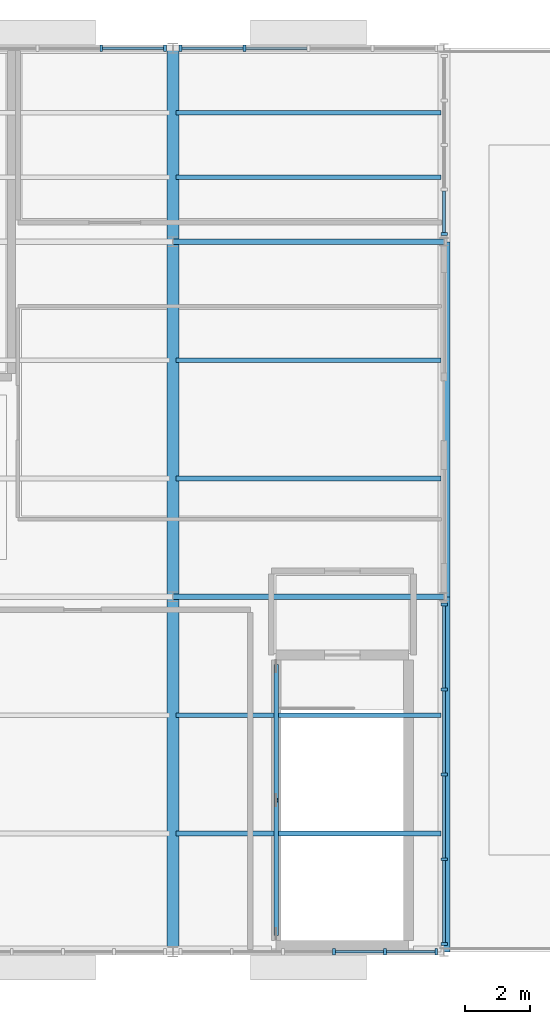
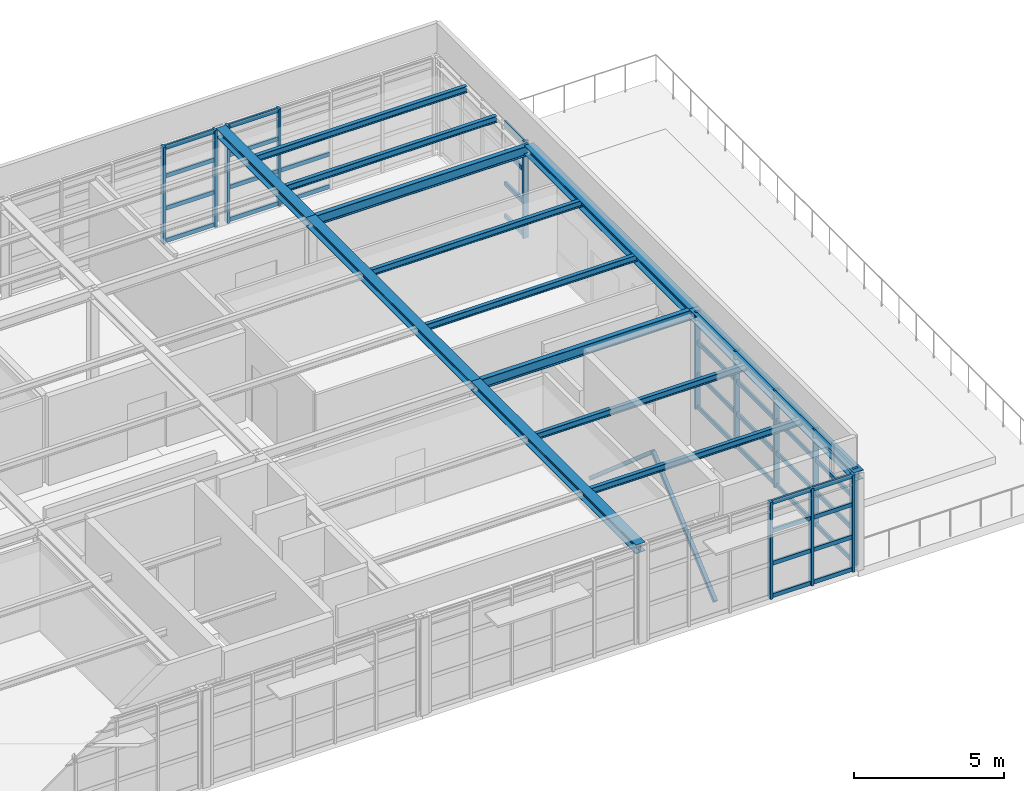
# One storey, part 9 of 18: 53 members, 13 beams, 5 elements without a shape of their own.
"""IFC4 building model written with IfcOpenShell, lengths in metres."""

from ifc_helpers import new_model, si_unit, direction, frame, origin, origin_2d, place, context, subcontext, project, spatial, rectangle, hollow_rectangle, i_section, extrude, material, layer, layer_set, material_profile, profile_set, type_object, element, aggregate, save


model = new_model("IFC4")

# Units and contexts
model_context = context("Model", 3, precision=1e-05, world=origin(), true_north=direction((0.0, 1.0)))
body_context = subcontext(model_context, "Body", "Model", "MODEL_VIEW")
ifc_project = project(units=[si_unit("LENGTHUNIT", "METRE"), si_unit("AREAUNIT", "SQUARE_METRE"), si_unit("VOLUMEUNIT", "CUBIC_METRE"), si_unit("PLANEANGLEUNIT", "RADIAN"), si_unit("MASSUNIT", "GRAM", prefix="KILO")], contexts=[model_context])

# Site, building, storey
site_placement = place(None, origin())
site = spatial("IfcSite", under=ifc_project, at=site_placement, CompositionType="ELEMENT")
building_placement = place(site_placement, origin())
building = spatial("IfcBuilding", under=site, at=building_placement, Name="Sitalva Quay Ferry Terminal", CompositionType="ELEMENT")
storey_placement = place(building_placement, frame((0.0, 0.0, 18.60009765625)))
storey = spatial("IfcBuildingStorey", under=building, at=storey_placement, Name="L05", CompositionType="ELEMENT", Elevation=18.60009765625)

# Beams
ifc_material_1 = material(Name="Structural Steel S355JR", Category="steel")
ifc_material_profile_1 = material_profile(ifc_material_1, i_section(OverallWidth=0.368896484375, OverallDepth=0.35595703125, WebThickness=0.01123046875, FlangeThickness=0.01806640625, FilletRadius=0.014892578125, at=origin_2d()), Name="W360x134")
ifc_profile_set_1 = profile_set([ifc_material_profile_1], Name="Structural Steel S355JR")
beam_type_1 = type_object("IfcBeamType", Name="Beam_W360x134", PredefinedType="BEAM", material=ifc_profile_set_1)
for number, where, z_axis, x_axis, name in (
    (1, (109.199951171875, 78.0, 3.781982421875), (0.0, 1.0, 0.0), (-1.0, 0.0, 0.0), "L05 Primary Y girder 1432"),
    (2, (109.199951171875, 89.0, 3.781982421875), (0.0, 1.0, 0.0), (-1.0, 0.0, 0.0), "L05 Primary Y girder 1433"),
):
    element("IfcBeam", number, at=place(storey_placement, frame(where, z_axis=z_axis, x_axis=x_axis)), inside=storey, type_object=beam_type_1, Name=name, PredefinedType="BEAM", context=body_context, shape_type="SweptSolid", body=[
        extrude(i_section(OverallWidth=0.368896484375, OverallDepth=0.35595703125, WebThickness=0.01123046875, FlangeThickness=0.01806640625, FilletRadius=0.014892578125, at=origin_2d()), origin(), (0.0, 0.0, 1.0), 11.0),
    ])
beam_placement = place(storey_placement, frame((109.199951171875, 100.0, 3.781982421875), z_axis=(0.0, 1.0, 0.0), x_axis=(-1.0, 0.0, 0.0)))
element("IfcBeam", 3, at=beam_placement, inside=storey, type_object=beam_type_1, Name="L05 Primary Y girder 1434", PredefinedType="BEAM", context=body_context, shape_type="SweptSolid", body=[
    extrude(i_section(OverallWidth=0.368896484375, OverallDepth=0.35595703125, WebThickness=0.01123046875, FlangeThickness=0.01806640625, FilletRadius=0.014892578125, at=origin_2d()), origin(), (0.0, 0.0, 1.0), 6.0),
])
for number, where, z_axis, x_axis, name in (
    (4, (117.60009765625, 78.0, 3.781982421875), (0.0, 1.0, 0.0), (-1.0, 0.0, 0.0), "L05 Primary Y girder 1435"),
    (5, (117.60009765625, 89.0, 3.781982421875), (0.0, 1.0, 0.0), (-1.0, 0.0, 0.0), "L05 Primary Y girder 1436"),
):
    element("IfcBeam", number, at=place(storey_placement, frame(where, z_axis=z_axis, x_axis=x_axis)), inside=storey, type_object=beam_type_1, Name=name, PredefinedType="BEAM", context=body_context, shape_type="SweptSolid", body=[
        extrude(i_section(OverallWidth=0.368896484375, OverallDepth=0.35595703125, WebThickness=0.01123046875, FlangeThickness=0.01806640625, FilletRadius=0.014892578125, at=origin_2d()), origin(), (0.0, 0.0, 1.0), 11.0),
    ])
ifc_material_2 = material(Name="Structural Steel S355JR", Category="steel")
ifc_material_profile_2 = material_profile(ifc_material_2, i_section(OverallWidth=0.178955078125, OverallDepth=0.409912109375, WebThickness=0.0087890625, FlangeThickness=0.014404296875, FilletRadius=0.012939453125, at=origin_2d()), Name="W410x67")
ifc_profile_set_2 = profile_set([ifc_material_profile_2], Name="Structural Steel S355JR")
beam_type_2 = type_object("IfcBeamType", Name="Beam_W410x67", PredefinedType="BEAM", material=ifc_profile_set_2)
for number, where, z_axis, x_axis, name in (
    (6, (109.199951171875, 89.0, 3.7548828125), (1.0, 0.0, 0.0), (0.0, 1.0, 0.0), "L05 Primary X girder 1409"),
    (7, (109.199951171875, 100.0, 3.7548828125), (1.0, 0.0, 0.0), (0.0, 1.0, 0.0), "L05 Primary X girder 1414"),
):
    element("IfcBeam", number, at=place(storey_placement, frame(where, z_axis=z_axis, x_axis=x_axis)), inside=storey, type_object=beam_type_2, Name=name, PredefinedType="BEAM", context=body_context, shape_type="SweptSolid", body=[
        extrude(i_section(OverallWidth=0.178955078125, OverallDepth=0.409912109375, WebThickness=0.0087890625, FlangeThickness=0.014404296875, FilletRadius=0.012939453125, at=origin_2d()), origin(), (0.0, 0.0, 1.0), 8.400146484375),
    ])

# Members
ifc_material_3 = material(Name="Structural Steel S355JR", Category="steel")
ifc_material_profile_3 = material_profile(ifc_material_3, hollow_rectangle(XDim=0.14990234375, YDim=0.14990234375, WallThickness=0.008056640625, InnerFilletRadius=0.008056640625, OuterFilletRadius=0.01611328125, at=origin_2d()), Name="SHS150x150x8")
ifc_profile_set_3 = profile_set([ifc_material_profile_3], Name="Structural Steel S355JR")
member_type_1 = type_object("IfcMemberType", Name="Brace_SHS150x8", PredefinedType="BRACE", material=ifc_profile_set_3)
member_1_placement = place(storey_placement, frame((112.39990234375, 78.550048828125, 0.14990234375), z_axis=(0.0, 0.756274516231, 0.654254427649), x_axis=(-1.0, 0.0, 0.0)))
element("IfcMember", 8, at=member_1_placement, inside=storey, type_object=member_type_1, Name="Braced frame BF5 L05 chevron A", PredefinedType="BRACE", context=body_context, shape_type="SweptSolid", body=[
    extrude(hollow_rectangle(XDim=0.14990234375, YDim=0.14990234375, WallThickness=0.008056640625, InnerFilletRadius=0.008056640625, OuterFilletRadius=0.01611328125, at=origin_2d()), origin(), (0.0, 0.0, 1.0), 5.4873046875),
])
member_2_placement = place(storey_placement, frame((112.39990234375, 82.699951171875, 3.739990234375), z_axis=(0.0, 0.756293560007, -0.654232413666), x_axis=(-1.0, 0.0, 0.0)))
element("IfcMember", 9, at=member_2_placement, inside=storey, type_object=member_type_1, Name="Braced frame BF5 L05 chevron B", PredefinedType="BRACE", context=body_context, shape_type="SweptSolid", body=[
    extrude(hollow_rectangle(XDim=0.14990234375, YDim=0.14990234375, WallThickness=0.008056640625, InnerFilletRadius=0.008056640625, OuterFilletRadius=0.01611328125, at=origin_2d()), origin(), (0.0, 0.0, 1.0), 5.487548828125),
])

# Beams
ifc_material_4 = material(Name="Structural Steel S355JR", Category="steel")
ifc_material_profile_4 = material_profile(ifc_material_4, i_section(OverallWidth=0.14697265625, OverallDepth=0.261962890625, WebThickness=0.006591796875, FlangeThickness=0.01123046875, FilletRadius=0.010009765625, at=origin_2d()), Name="W250x39")
ifc_profile_set_4 = profile_set([ifc_material_profile_4], Name="Structural Steel S355JR")
beam_type_3 = type_object("IfcBeamType", Name="Joist_W250x39", PredefinedType="JOIST", material=ifc_profile_set_4)
for number, where, z_axis, x_axis, name in (
    (10, (109.300048828125, 81.666748046875, 3.828857421875), (1.0, 0.0, 0.0), (0.0, 1.0, 0.0), "L05 Secondary joist 1442"),
    (11, (109.300048828125, 85.333251953125, 3.828857421875), (1.0, 0.0, 0.0), (0.0, 1.0, 0.0), "L05 Secondary joist 1447"),
    (12, (109.300048828125, 92.666748046875, 3.828857421875), (1.0, 0.0, 0.0), (0.0, 1.0, 0.0), "L05 Secondary joist 1452"),
    (13, (109.300048828125, 96.333251953125, 3.828857421875), (1.0, 0.0, 0.0), (0.0, 1.0, 0.0), "L05 Secondary joist 1457"),
    (14, (109.300048828125, 102.0, 3.828857421875), (1.0, 0.0, 0.0), (0.0, 1.0, 0.0), "L05 Secondary joist 1462"),
    (15, (109.300048828125, 104.0, 3.828857421875), (1.0, 0.0, 0.0), (0.0, 1.0, 0.0), "L05 Secondary joist 1467"),
):
    element("IfcBeam", number, at=place(storey_placement, frame(where, z_axis=z_axis, x_axis=x_axis)), inside=storey, type_object=beam_type_3, Name=name, PredefinedType="JOIST", context=body_context, shape_type="SweptSolid", body=[
        extrude(i_section(OverallWidth=0.14697265625, OverallDepth=0.261962890625, WebThickness=0.006591796875, FlangeThickness=0.01123046875, FilletRadius=0.010009765625, at=origin_2d()), origin(), (0.0, 0.0, 1.0), 8.199951171875),
    ])

# Curtain wall, members
ifc_material_5 = material(Name="Anodised Aluminium & Low-E Glazing", Category="aluminium")
ifc_layer = layer(ifc_material_5, 0.159912109375)
ifc_layer_set = layer_set([ifc_layer], Name="Anodised Aluminium & Low-E Glazing")
curtain_wall_type = type_object("IfcCurtainWallType", Name="CW_VTS_Sloped", PredefinedType="USERDEFINED", material=ifc_layer_set)
curtain_wall_1_placement = place(storey_placement, origin())
curtain_wall_1 = element("IfcCurtainWall", 16, at=curtain_wall_1_placement, inside=storey, type_object=curtain_wall_type, Name="L05 VTS east panoramic glazing (CW-L05-150)", ObjectType="CURTAIN_WALL", PredefinedType="USERDEFINED")
ifc_material_6 = material(Name="Anodised Aluminium 6063-T6", Category="aluminium")
ifc_material_profile_5 = material_profile(ifc_material_6, rectangle(XDim=0.090087890625, YDim=0.199951171875, at=origin_2d()), Name="ALU90x200")
ifc_profile_set_5 = profile_set([ifc_material_profile_5], Name="Anodised Aluminium 6063-T6")
member_type_2 = type_object("IfcMemberType", Name="Mullion_Alu_90x200", PredefinedType="MULLION", material=ifc_profile_set_5)
member_3_placement = place(storey_placement, frame((117.60009765625, 78.239990234375, 0.0), z_axis=(0.0, 0.0, 1.0), x_axis=(0.0, 1.0, 0.0)))
member_3 = element("IfcMember", 17, at=member_3_placement, type_object=member_type_2, Name="CW-L05-150-M0", PredefinedType="MULLION", context=body_context, shape_type="SweptSolid", body=[
    extrude(rectangle(XDim=0.090087890625, YDim=0.199951171875, at=origin_2d()), origin(), (0.0, 0.0, 1.0), 3.9599609375),
])
member_4_placement = place(storey_placement, frame((117.60009765625, 80.8701171875, 0.0), z_axis=(0.0, 0.0, 1.0), x_axis=(0.0, 1.0, 0.0)))
member_4 = element("IfcMember", 18, at=member_4_placement, type_object=member_type_2, Name="CW-L05-150-M1", PredefinedType="MULLION", context=body_context, shape_type="SweptSolid", body=[
    extrude(rectangle(XDim=0.090087890625, YDim=0.199951171875, at=origin_2d()), origin(), (0.0, 0.0, 1.0), 3.9599609375),
])
member_5_placement = place(storey_placement, frame((117.60009765625, 83.5, 0.0), z_axis=(0.0, 0.0, 1.0), x_axis=(0.0, 1.0, 0.0)))
member_5 = element("IfcMember", 19, at=member_5_placement, type_object=member_type_2, Name="CW-L05-150-M2", PredefinedType="MULLION", context=body_context, shape_type="SweptSolid", body=[
    extrude(rectangle(XDim=0.090087890625, YDim=0.199951171875, at=origin_2d()), origin(), (0.0, 0.0, 1.0), 3.9599609375),
])
member_6_placement = place(storey_placement, frame((117.60009765625, 86.1298828125, 0.0), z_axis=(0.0, 0.0, 1.0), x_axis=(0.0, 1.0, 0.0)))
member_6 = element("IfcMember", 20, at=member_6_placement, type_object=member_type_2, Name="CW-L05-150-M3", PredefinedType="MULLION", context=body_context, shape_type="SweptSolid", body=[
    extrude(rectangle(XDim=0.090087890625, YDim=0.199951171875, at=origin_2d()), origin(), (0.0, 0.0, 1.0), 3.9599609375),
])
member_7_placement = place(storey_placement, frame((117.60009765625, 88.760009765625, 0.0), z_axis=(0.0, 0.0, 1.0), x_axis=(0.0, 1.0, 0.0)))
member_7 = element("IfcMember", 21, at=member_7_placement, type_object=member_type_2, Name="CW-L05-150-M4", PredefinedType="MULLION", context=body_context, shape_type="SweptSolid", body=[
    extrude(rectangle(XDim=0.090087890625, YDim=0.199951171875, at=origin_2d()), origin(), (0.0, 0.0, 1.0), 3.9599609375),
])

# Curtain wall, member
curtain_wall_2_placement = place(storey_placement, origin())
curtain_wall_2 = element("IfcCurtainWall", 22, at=curtain_wall_2_placement, inside=storey, type_object=curtain_wall_type, Name="L05 VTS east panoramic glazing (CW-L05-153)", ObjectType="CURTAIN_WALL", PredefinedType="USERDEFINED")
member_8_placement = place(storey_placement, frame((117.60009765625, 100.239990234375, 0.0), z_axis=(0.0, 0.0, 1.0), x_axis=(0.0, 1.0, 0.0)))
member_8 = element("IfcMember", 23, at=member_8_placement, type_object=member_type_2, Name="CW-L05-153-M0", PredefinedType="MULLION", context=body_context, shape_type="SweptSolid", body=[
    extrude(rectangle(XDim=0.090087890625, YDim=0.199951171875, at=origin_2d()), origin(), (0.0, 0.0, 1.0), 3.9599609375),
])

# Curtain wall, members
curtain_wall_3_placement = place(storey_placement, origin())
curtain_wall_3 = element("IfcCurtainWall", 24, at=curtain_wall_3_placement, inside=storey, type_object=curtain_wall_type, Name="L05 VTS bridge north glazing (CW-L05-161)", ObjectType="CURTAIN_WALL", PredefinedType="USERDEFINED")
member_9_placement = place(storey_placement, frame((106.97998046875, 106.0, 0.0), z_axis=(0.0, 0.0, 1.0), x_axis=(1.0, 0.0, 0.0)))
member_9 = element("IfcMember", 25, at=member_9_placement, type_object=member_type_2, Name="CW-L05-161-M3", PredefinedType="MULLION", context=body_context, shape_type="SweptSolid", body=[
    extrude(rectangle(XDim=0.090087890625, YDim=0.199951171875, at=origin_2d()), origin(), (0.0, 0.0, 1.0), 3.9599609375),
])
member_10_placement = place(storey_placement, frame((108.9599609375, 106.0, 0.0), z_axis=(0.0, 0.0, 1.0), x_axis=(1.0, 0.0, 0.0)))
member_10 = element("IfcMember", 26, at=member_10_placement, type_object=member_type_2, Name="CW-L05-161-M4", PredefinedType="MULLION", context=body_context, shape_type="SweptSolid", body=[
    extrude(rectangle(XDim=0.090087890625, YDim=0.199951171875, at=origin_2d()), origin(), (0.0, 0.0, 1.0), 3.9599609375),
])

curtain_wall_4_placement = place(storey_placement, origin())
curtain_wall_4 = element("IfcCurtainWall", 27, at=curtain_wall_4_placement, inside=storey, type_object=curtain_wall_type, Name="L05 VTS river-view panoramic south glazing (CW-L05-162)", ObjectType="CURTAIN_WALL", PredefinedType="USERDEFINED")
member_11_placement = place(storey_placement, frame((114.19189453125, 78.0, 0.0), z_axis=(0.0, 0.0, 1.0), x_axis=(1.0, 0.0, 0.0)))
member_11 = element("IfcMember", 28, at=member_11_placement, type_object=member_type_2, Name="CW-L05-162-M3", PredefinedType="MULLION", context=body_context, shape_type="SweptSolid", body=[
    extrude(rectangle(XDim=0.090087890625, YDim=0.199951171875, at=origin_2d()), origin(), (0.0, 0.0, 1.0), 3.9599609375),
])
member_12_placement = place(storey_placement, frame((115.77587890625, 78.0, 0.0), z_axis=(0.0, 0.0, 1.0), x_axis=(1.0, 0.0, 0.0)))
member_12 = element("IfcMember", 29, at=member_12_placement, type_object=member_type_2, Name="CW-L05-162-M4", PredefinedType="MULLION", context=body_context, shape_type="SweptSolid", body=[
    extrude(rectangle(XDim=0.090087890625, YDim=0.199951171875, at=origin_2d()), origin(), (0.0, 0.0, 1.0), 3.9599609375),
])
member_13_placement = place(storey_placement, frame((117.360107421875, 78.0, 0.0), z_axis=(0.0, 0.0, 1.0), x_axis=(1.0, 0.0, 0.0)))
member_13 = element("IfcMember", 30, at=member_13_placement, type_object=member_type_2, Name="CW-L05-162-M5", PredefinedType="MULLION", context=body_context, shape_type="SweptSolid", body=[
    extrude(rectangle(XDim=0.090087890625, YDim=0.199951171875, at=origin_2d()), origin(), (0.0, 0.0, 1.0), 3.9599609375),
])

curtain_wall_5_placement = place(storey_placement, origin())
curtain_wall_5 = element("IfcCurtainWall", 31, at=curtain_wall_5_placement, inside=storey, type_object=curtain_wall_type, Name="L05 VTS bridge north glazing (CW-L05-163)", ObjectType="CURTAIN_WALL", PredefinedType="USERDEFINED")
member_14_placement = place(storey_placement, frame((109.43994140625, 106.0, 0.0), z_axis=(0.0, 0.0, 1.0), x_axis=(1.0, 0.0, 0.0)))
member_14 = element("IfcMember", 32, at=member_14_placement, type_object=member_type_2, Name="CW-L05-163-M0", PredefinedType="MULLION", context=body_context, shape_type="SweptSolid", body=[
    extrude(rectangle(XDim=0.090087890625, YDim=0.199951171875, at=origin_2d()), origin(), (0.0, 0.0, 1.0), 3.9599609375),
])
member_15_placement = place(storey_placement, frame((111.419921875, 106.0, 0.0), z_axis=(0.0, 0.0, 1.0), x_axis=(1.0, 0.0, 0.0)))
member_15 = element("IfcMember", 33, at=member_15_placement, type_object=member_type_2, Name="CW-L05-163-M1", PredefinedType="MULLION", context=body_context, shape_type="SweptSolid", body=[
    extrude(rectangle(XDim=0.090087890625, YDim=0.199951171875, at=origin_2d()), origin(), (0.0, 0.0, 1.0), 3.9599609375),
])

# Member
ifc_material_7 = material(Name="Anodised Aluminium 6063-T6", Category="aluminium")
ifc_material_profile_6 = material_profile(ifc_material_7, rectangle(XDim=0.080078125, YDim=0.1650390625, at=origin_2d()), Name="ALU80x165")
ifc_profile_set_6 = profile_set([ifc_material_profile_6], Name="Anodised Aluminium 6063-T6")
member_type_3 = type_object("IfcMemberType", Name="Transom_Alu_80x165", PredefinedType="MULLION", material=ifc_profile_set_6)
member_16_placement = place(storey_placement, frame((117.60009765625, 78.284912109375, 0.08251953125), z_axis=(0.0, 1.0, 0.0), x_axis=(-1.0, 0.0, 0.0)))
member_16 = element("IfcMember", 34, at=member_16_placement, type_object=member_type_3, Name="CW-L05-150-T0-0", ObjectType="TRANSOM", PredefinedType="USERDEFINED", context=body_context, shape_type="SweptSolid", body=[
    extrude(rectangle(XDim=0.080078125, YDim=0.1650390625, at=origin_2d()), origin(), (0.0, 0.0, 1.0), 2.5400390625),
])

member_17_placement = place(storey_placement, frame((117.60009765625, 78.284912109375, 1.40234375), z_axis=(0.0, 1.0, 0.0), x_axis=(-1.0, 0.0, 0.0)))
member_17 = element("IfcMember", 35, at=member_17_placement, type_object=member_type_3, Name="CW-L05-150-T0-1", ObjectType="TRANSOM", PredefinedType="USERDEFINED", context=body_context, shape_type="SweptSolid", body=[
    extrude(rectangle(XDim=0.080078125, YDim=0.1650390625, at=origin_2d()), origin(), (0.0, 0.0, 1.0), 2.5400390625),
])

member_18_placement = place(storey_placement, frame((117.60009765625, 78.284912109375, 2.722412109375), z_axis=(0.0, 1.0, 0.0), x_axis=(-1.0, 0.0, 0.0)))
member_18 = element("IfcMember", 36, at=member_18_placement, type_object=member_type_3, Name="CW-L05-150-T0-2", ObjectType="TRANSOM", PredefinedType="USERDEFINED", context=body_context, shape_type="SweptSolid", body=[
    extrude(rectangle(XDim=0.080078125, YDim=0.1650390625, at=origin_2d()), origin(), (0.0, 0.0, 1.0), 2.5400390625),
])

member_19_placement = place(storey_placement, frame((117.60009765625, 78.284912109375, 3.87744140625), z_axis=(0.0, 1.0, 0.0), x_axis=(-1.0, 0.0, 0.0)))
member_19 = element("IfcMember", 37, at=member_19_placement, type_object=member_type_3, Name="CW-L05-150-T0-3", ObjectType="TRANSOM", PredefinedType="USERDEFINED", context=body_context, shape_type="SweptSolid", body=[
    extrude(rectangle(XDim=0.080078125, YDim=0.1650390625, at=origin_2d()), origin(), (0.0, 0.0, 1.0), 2.5400390625),
])

member_20_placement = place(storey_placement, frame((117.60009765625, 80.9150390625, 0.08251953125), z_axis=(0.0, 1.0, 0.0), x_axis=(-1.0, 0.0, 0.0)))
member_20 = element("IfcMember", 38, at=member_20_placement, type_object=member_type_3, Name="CW-L05-150-T1-0", ObjectType="TRANSOM", PredefinedType="USERDEFINED", context=body_context, shape_type="SweptSolid", body=[
    extrude(rectangle(XDim=0.080078125, YDim=0.1650390625, at=origin_2d()), origin(), (0.0, 0.0, 1.0), 2.5400390625),
])

member_21_placement = place(storey_placement, frame((117.60009765625, 80.9150390625, 1.40234375), z_axis=(0.0, 1.0, 0.0), x_axis=(-1.0, 0.0, 0.0)))
member_21 = element("IfcMember", 39, at=member_21_placement, type_object=member_type_3, Name="CW-L05-150-T1-1", ObjectType="TRANSOM", PredefinedType="USERDEFINED", context=body_context, shape_type="SweptSolid", body=[
    extrude(rectangle(XDim=0.080078125, YDim=0.1650390625, at=origin_2d()), origin(), (0.0, 0.0, 1.0), 2.5400390625),
])

member_22_placement = place(storey_placement, frame((117.60009765625, 80.9150390625, 2.722412109375), z_axis=(0.0, 1.0, 0.0), x_axis=(-1.0, 0.0, 0.0)))
member_22 = element("IfcMember", 40, at=member_22_placement, type_object=member_type_3, Name="CW-L05-150-T1-2", ObjectType="TRANSOM", PredefinedType="USERDEFINED", context=body_context, shape_type="SweptSolid", body=[
    extrude(rectangle(XDim=0.080078125, YDim=0.1650390625, at=origin_2d()), origin(), (0.0, 0.0, 1.0), 2.5400390625),
])

member_23_placement = place(storey_placement, frame((117.60009765625, 80.9150390625, 3.87744140625), z_axis=(0.0, 1.0, 0.0), x_axis=(-1.0, 0.0, 0.0)))
member_23 = element("IfcMember", 41, at=member_23_placement, type_object=member_type_3, Name="CW-L05-150-T1-3", ObjectType="TRANSOM", PredefinedType="USERDEFINED", context=body_context, shape_type="SweptSolid", body=[
    extrude(rectangle(XDim=0.080078125, YDim=0.1650390625, at=origin_2d()), origin(), (0.0, 0.0, 1.0), 2.5400390625),
])

member_24_placement = place(storey_placement, frame((117.60009765625, 83.544921875, 0.08251953125), z_axis=(0.0, 1.0, 0.0), x_axis=(-1.0, 0.0, 0.0)))
member_24 = element("IfcMember", 42, at=member_24_placement, type_object=member_type_3, Name="CW-L05-150-T2-0", ObjectType="TRANSOM", PredefinedType="USERDEFINED", context=body_context, shape_type="SweptSolid", body=[
    extrude(rectangle(XDim=0.080078125, YDim=0.1650390625, at=origin_2d()), origin(), (0.0, 0.0, 1.0), 2.5400390625),
])

member_25_placement = place(storey_placement, frame((117.60009765625, 83.544921875, 1.40234375), z_axis=(0.0, 1.0, 0.0), x_axis=(-1.0, 0.0, 0.0)))
member_25 = element("IfcMember", 43, at=member_25_placement, type_object=member_type_3, Name="CW-L05-150-T2-1", ObjectType="TRANSOM", PredefinedType="USERDEFINED", context=body_context, shape_type="SweptSolid", body=[
    extrude(rectangle(XDim=0.080078125, YDim=0.1650390625, at=origin_2d()), origin(), (0.0, 0.0, 1.0), 2.5400390625),
])

member_26_placement = place(storey_placement, frame((117.60009765625, 83.544921875, 2.722412109375), z_axis=(0.0, 1.0, 0.0), x_axis=(-1.0, 0.0, 0.0)))
member_26 = element("IfcMember", 44, at=member_26_placement, type_object=member_type_3, Name="CW-L05-150-T2-2", ObjectType="TRANSOM", PredefinedType="USERDEFINED", context=body_context, shape_type="SweptSolid", body=[
    extrude(rectangle(XDim=0.080078125, YDim=0.1650390625, at=origin_2d()), origin(), (0.0, 0.0, 1.0), 2.5400390625),
])

member_27_placement = place(storey_placement, frame((117.60009765625, 83.544921875, 3.87744140625), z_axis=(0.0, 1.0, 0.0), x_axis=(-1.0, 0.0, 0.0)))
member_27 = element("IfcMember", 45, at=member_27_placement, type_object=member_type_3, Name="CW-L05-150-T2-3", ObjectType="TRANSOM", PredefinedType="USERDEFINED", context=body_context, shape_type="SweptSolid", body=[
    extrude(rectangle(XDim=0.080078125, YDim=0.1650390625, at=origin_2d()), origin(), (0.0, 0.0, 1.0), 2.5400390625),
])

member_28_placement = place(storey_placement, frame((117.60009765625, 86.175048828125, 0.08251953125), z_axis=(0.0, 1.0, 0.0), x_axis=(-1.0, 0.0, 0.0)))
member_28 = element("IfcMember", 46, at=member_28_placement, type_object=member_type_3, Name="CW-L05-150-T3-0", ObjectType="TRANSOM", PredefinedType="USERDEFINED", context=body_context, shape_type="SweptSolid", body=[
    extrude(rectangle(XDim=0.080078125, YDim=0.1650390625, at=origin_2d()), origin(), (0.0, 0.0, 1.0), 2.5400390625),
])

member_29_placement = place(storey_placement, frame((117.60009765625, 86.175048828125, 1.40234375), z_axis=(0.0, 1.0, 0.0), x_axis=(-1.0, 0.0, 0.0)))
member_29 = element("IfcMember", 47, at=member_29_placement, type_object=member_type_3, Name="CW-L05-150-T3-1", ObjectType="TRANSOM", PredefinedType="USERDEFINED", context=body_context, shape_type="SweptSolid", body=[
    extrude(rectangle(XDim=0.080078125, YDim=0.1650390625, at=origin_2d()), origin(), (0.0, 0.0, 1.0), 2.5400390625),
])

member_30_placement = place(storey_placement, frame((117.60009765625, 86.175048828125, 2.722412109375), z_axis=(0.0, 1.0, 0.0), x_axis=(-1.0, 0.0, 0.0)))
member_30 = element("IfcMember", 48, at=member_30_placement, type_object=member_type_3, Name="CW-L05-150-T3-2", ObjectType="TRANSOM", PredefinedType="USERDEFINED", context=body_context, shape_type="SweptSolid", body=[
    extrude(rectangle(XDim=0.080078125, YDim=0.1650390625, at=origin_2d()), origin(), (0.0, 0.0, 1.0), 2.5400390625),
])

member_31_placement = place(storey_placement, frame((117.60009765625, 86.175048828125, 3.87744140625), z_axis=(0.0, 1.0, 0.0), x_axis=(-1.0, 0.0, 0.0)))
member_31 = element("IfcMember", 49, at=member_31_placement, type_object=member_type_3, Name="CW-L05-150-T3-3", ObjectType="TRANSOM", PredefinedType="USERDEFINED", context=body_context, shape_type="SweptSolid", body=[
    extrude(rectangle(XDim=0.080078125, YDim=0.1650390625, at=origin_2d()), origin(), (0.0, 0.0, 1.0), 2.5400390625),
])

aggregate(curtain_wall_1, [member_3, member_4, member_5, member_6, member_7, member_16, member_17, member_18, member_19, member_20, member_21, member_22, member_23, member_24, member_25, member_26, member_27, member_28, member_29, member_30, member_31])

member_32_placement = place(storey_placement, frame((117.60009765625, 100.284912109375, 0.08251953125), z_axis=(0.0, 1.0, 0.0), x_axis=(-1.0, 0.0, 0.0)))
member_32 = element("IfcMember", 50, at=member_32_placement, type_object=member_type_3, Name="CW-L05-153-T0-0", ObjectType="TRANSOM", PredefinedType="USERDEFINED", context=body_context, shape_type="SweptSolid", body=[
    extrude(rectangle(XDim=0.080078125, YDim=0.1650390625, at=origin_2d()), origin(), (0.0, 0.0, 1.0), 1.2900390625),
])

member_33_placement = place(storey_placement, frame((117.60009765625, 100.284912109375, 1.40234375), z_axis=(0.0, 1.0, 0.0), x_axis=(-1.0, 0.0, 0.0)))
member_33 = element("IfcMember", 51, at=member_33_placement, type_object=member_type_3, Name="CW-L05-153-T0-1", ObjectType="TRANSOM", PredefinedType="USERDEFINED", context=body_context, shape_type="SweptSolid", body=[
    extrude(rectangle(XDim=0.080078125, YDim=0.1650390625, at=origin_2d()), origin(), (0.0, 0.0, 1.0), 1.2900390625),
])

member_34_placement = place(storey_placement, frame((117.60009765625, 100.284912109375, 2.722412109375), z_axis=(0.0, 1.0, 0.0), x_axis=(-1.0, 0.0, 0.0)))
member_34 = element("IfcMember", 52, at=member_34_placement, type_object=member_type_3, Name="CW-L05-153-T0-2", ObjectType="TRANSOM", PredefinedType="USERDEFINED", context=body_context, shape_type="SweptSolid", body=[
    extrude(rectangle(XDim=0.080078125, YDim=0.1650390625, at=origin_2d()), origin(), (0.0, 0.0, 1.0), 1.2900390625),
])

member_35_placement = place(storey_placement, frame((117.60009765625, 100.284912109375, 3.87744140625), z_axis=(0.0, 1.0, 0.0), x_axis=(-1.0, 0.0, 0.0)))
member_35 = element("IfcMember", 53, at=member_35_placement, type_object=member_type_3, Name="CW-L05-153-T0-3", ObjectType="TRANSOM", PredefinedType="USERDEFINED", context=body_context, shape_type="SweptSolid", body=[
    extrude(rectangle(XDim=0.080078125, YDim=0.1650390625, at=origin_2d()), origin(), (0.0, 0.0, 1.0), 1.2900390625),
])

aggregate(curtain_wall_2, [member_8, member_32, member_33, member_34, member_35])

member_36_placement = place(storey_placement, frame((107.02490234375, 106.0, 0.08251953125), z_axis=(1.0, 0.0, 0.0), x_axis=(0.0, 1.0, 0.0)))
member_36 = element("IfcMember", 54, at=member_36_placement, type_object=member_type_3, Name="CW-L05-161-T3-0", ObjectType="TRANSOM", PredefinedType="USERDEFINED", context=body_context, shape_type="SweptSolid", body=[
    extrude(rectangle(XDim=0.080078125, YDim=0.1650390625, at=origin_2d()), origin(), (0.0, 0.0, 1.0), 1.89013671875),
])

member_37_placement = place(storey_placement, frame((107.02490234375, 106.0, 1.40234375), z_axis=(1.0, 0.0, 0.0), x_axis=(0.0, 1.0, 0.0)))
member_37 = element("IfcMember", 55, at=member_37_placement, type_object=member_type_3, Name="CW-L05-161-T3-1", ObjectType="TRANSOM", PredefinedType="USERDEFINED", context=body_context, shape_type="SweptSolid", body=[
    extrude(rectangle(XDim=0.080078125, YDim=0.1650390625, at=origin_2d()), origin(), (0.0, 0.0, 1.0), 1.89013671875),
])

member_38_placement = place(storey_placement, frame((107.02490234375, 106.0, 2.722412109375), z_axis=(1.0, 0.0, 0.0), x_axis=(0.0, 1.0, 0.0)))
member_38 = element("IfcMember", 56, at=member_38_placement, type_object=member_type_3, Name="CW-L05-161-T3-2", ObjectType="TRANSOM", PredefinedType="USERDEFINED", context=body_context, shape_type="SweptSolid", body=[
    extrude(rectangle(XDim=0.080078125, YDim=0.1650390625, at=origin_2d()), origin(), (0.0, 0.0, 1.0), 1.89013671875),
])

member_39_placement = place(storey_placement, frame((107.02490234375, 106.0, 3.87744140625), z_axis=(1.0, 0.0, 0.0), x_axis=(0.0, 1.0, 0.0)))
member_39 = element("IfcMember", 57, at=member_39_placement, type_object=member_type_3, Name="CW-L05-161-T3-3", ObjectType="TRANSOM", PredefinedType="USERDEFINED", context=body_context, shape_type="SweptSolid", body=[
    extrude(rectangle(XDim=0.080078125, YDim=0.1650390625, at=origin_2d()), origin(), (0.0, 0.0, 1.0), 1.89013671875),
])

aggregate(curtain_wall_3, [member_9, member_10, member_36, member_37, member_38, member_39])

member_40_placement = place(storey_placement, frame((114.237060546875, 78.0, 0.08251953125), z_axis=(1.0, 0.0, 0.0), x_axis=(0.0, 1.0, 0.0)))
member_40 = element("IfcMember", 58, at=member_40_placement, type_object=member_type_3, Name="CW-L05-162-T3-0", ObjectType="TRANSOM", PredefinedType="USERDEFINED", context=body_context, shape_type="SweptSolid", body=[
    extrude(rectangle(XDim=0.080078125, YDim=0.1650390625, at=origin_2d()), origin(), (0.0, 0.0, 1.0), 1.493896484375),
])

member_41_placement = place(storey_placement, frame((114.237060546875, 78.0, 1.40234375), z_axis=(1.0, 0.0, 0.0), x_axis=(0.0, 1.0, 0.0)))
member_41 = element("IfcMember", 59, at=member_41_placement, type_object=member_type_3, Name="CW-L05-162-T3-1", ObjectType="TRANSOM", PredefinedType="USERDEFINED", context=body_context, shape_type="SweptSolid", body=[
    extrude(rectangle(XDim=0.080078125, YDim=0.1650390625, at=origin_2d()), origin(), (0.0, 0.0, 1.0), 1.493896484375),
])

member_42_placement = place(storey_placement, frame((114.237060546875, 78.0, 2.722412109375), z_axis=(1.0, 0.0, 0.0), x_axis=(0.0, 1.0, 0.0)))
member_42 = element("IfcMember", 60, at=member_42_placement, type_object=member_type_3, Name="CW-L05-162-T3-2", ObjectType="TRANSOM", PredefinedType="USERDEFINED", context=body_context, shape_type="SweptSolid", body=[
    extrude(rectangle(XDim=0.080078125, YDim=0.1650390625, at=origin_2d()), origin(), (0.0, 0.0, 1.0), 1.493896484375),
])

member_43_placement = place(storey_placement, frame((114.237060546875, 78.0, 3.87744140625), z_axis=(1.0, 0.0, 0.0), x_axis=(0.0, 1.0, 0.0)))
member_43 = element("IfcMember", 61, at=member_43_placement, type_object=member_type_3, Name="CW-L05-162-T3-3", ObjectType="TRANSOM", PredefinedType="USERDEFINED", context=body_context, shape_type="SweptSolid", body=[
    extrude(rectangle(XDim=0.080078125, YDim=0.1650390625, at=origin_2d()), origin(), (0.0, 0.0, 1.0), 1.493896484375),
])

member_44_placement = place(storey_placement, frame((115.821044921875, 78.0, 0.08251953125), z_axis=(1.0, 0.0, 0.0), x_axis=(0.0, 1.0, 0.0)))
member_44 = element("IfcMember", 62, at=member_44_placement, type_object=member_type_3, Name="CW-L05-162-T4-0", ObjectType="TRANSOM", PredefinedType="USERDEFINED", context=body_context, shape_type="SweptSolid", body=[
    extrude(rectangle(XDim=0.080078125, YDim=0.1650390625, at=origin_2d()), origin(), (0.0, 0.0, 1.0), 1.493896484375),
])

member_45_placement = place(storey_placement, frame((115.821044921875, 78.0, 1.40234375), z_axis=(1.0, 0.0, 0.0), x_axis=(0.0, 1.0, 0.0)))
member_45 = element("IfcMember", 63, at=member_45_placement, type_object=member_type_3, Name="CW-L05-162-T4-1", ObjectType="TRANSOM", PredefinedType="USERDEFINED", context=body_context, shape_type="SweptSolid", body=[
    extrude(rectangle(XDim=0.080078125, YDim=0.1650390625, at=origin_2d()), origin(), (0.0, 0.0, 1.0), 1.493896484375),
])

member_46_placement = place(storey_placement, frame((115.821044921875, 78.0, 2.722412109375), z_axis=(1.0, 0.0, 0.0), x_axis=(0.0, 1.0, 0.0)))
member_46 = element("IfcMember", 64, at=member_46_placement, type_object=member_type_3, Name="CW-L05-162-T4-2", ObjectType="TRANSOM", PredefinedType="USERDEFINED", context=body_context, shape_type="SweptSolid", body=[
    extrude(rectangle(XDim=0.080078125, YDim=0.1650390625, at=origin_2d()), origin(), (0.0, 0.0, 1.0), 1.493896484375),
])

member_47_placement = place(storey_placement, frame((115.821044921875, 78.0, 3.87744140625), z_axis=(1.0, 0.0, 0.0), x_axis=(0.0, 1.0, 0.0)))
member_47 = element("IfcMember", 65, at=member_47_placement, type_object=member_type_3, Name="CW-L05-162-T4-3", ObjectType="TRANSOM", PredefinedType="USERDEFINED", context=body_context, shape_type="SweptSolid", body=[
    extrude(rectangle(XDim=0.080078125, YDim=0.1650390625, at=origin_2d()), origin(), (0.0, 0.0, 1.0), 1.493896484375),
])

aggregate(curtain_wall_4, [member_11, member_12, member_13, member_40, member_41, member_42, member_43, member_44, member_45, member_46, member_47])

member_48_placement = place(storey_placement, frame((109.485107421875, 106.0, 0.08251953125), z_axis=(1.0, 0.0, 0.0), x_axis=(0.0, 1.0, 0.0)))
member_48 = element("IfcMember", 66, at=member_48_placement, type_object=member_type_3, Name="CW-L05-163-T0-0", ObjectType="TRANSOM", PredefinedType="USERDEFINED", context=body_context, shape_type="SweptSolid", body=[
    extrude(rectangle(XDim=0.080078125, YDim=0.1650390625, at=origin_2d()), origin(), (0.0, 0.0, 1.0), 1.889892578125),
])

member_49_placement = place(storey_placement, frame((109.485107421875, 106.0, 1.40234375), z_axis=(1.0, 0.0, 0.0), x_axis=(0.0, 1.0, 0.0)))
member_49 = element("IfcMember", 67, at=member_49_placement, type_object=member_type_3, Name="CW-L05-163-T0-1", ObjectType="TRANSOM", PredefinedType="USERDEFINED", context=body_context, shape_type="SweptSolid", body=[
    extrude(rectangle(XDim=0.080078125, YDim=0.1650390625, at=origin_2d()), origin(), (0.0, 0.0, 1.0), 1.889892578125),
])

member_50_placement = place(storey_placement, frame((109.485107421875, 106.0, 2.722412109375), z_axis=(1.0, 0.0, 0.0), x_axis=(0.0, 1.0, 0.0)))
member_50 = element("IfcMember", 68, at=member_50_placement, type_object=member_type_3, Name="CW-L05-163-T0-2", ObjectType="TRANSOM", PredefinedType="USERDEFINED", context=body_context, shape_type="SweptSolid", body=[
    extrude(rectangle(XDim=0.080078125, YDim=0.1650390625, at=origin_2d()), origin(), (0.0, 0.0, 1.0), 1.889892578125),
])

member_51_placement = place(storey_placement, frame((109.485107421875, 106.0, 3.87744140625), z_axis=(1.0, 0.0, 0.0), x_axis=(0.0, 1.0, 0.0)))
member_51 = element("IfcMember", 69, at=member_51_placement, type_object=member_type_3, Name="CW-L05-163-T0-3", ObjectType="TRANSOM", PredefinedType="USERDEFINED", context=body_context, shape_type="SweptSolid", body=[
    extrude(rectangle(XDim=0.080078125, YDim=0.1650390625, at=origin_2d()), origin(), (0.0, 0.0, 1.0), 1.889892578125),
])

member_52_placement = place(storey_placement, frame((111.465087890625, 106.0, 0.08251953125), z_axis=(1.0, 0.0, 0.0), x_axis=(0.0, 1.0, 0.0)))
member_52 = element("IfcMember", 70, at=member_52_placement, type_object=member_type_3, Name="CW-L05-163-T1-0", ObjectType="TRANSOM", PredefinedType="USERDEFINED", context=body_context, shape_type="SweptSolid", body=[
    extrude(rectangle(XDim=0.080078125, YDim=0.1650390625, at=origin_2d()), origin(), (0.0, 0.0, 1.0), 1.889892578125),
])

member_53_placement = place(storey_placement, frame((111.465087890625, 106.0, 1.40234375), z_axis=(1.0, 0.0, 0.0), x_axis=(0.0, 1.0, 0.0)))
member_53 = element("IfcMember", 71, at=member_53_placement, type_object=member_type_3, Name="CW-L05-163-T1-1", ObjectType="TRANSOM", PredefinedType="USERDEFINED", context=body_context, shape_type="SweptSolid", body=[
    extrude(rectangle(XDim=0.080078125, YDim=0.1650390625, at=origin_2d()), origin(), (0.0, 0.0, 1.0), 1.889892578125),
])

aggregate(curtain_wall_5, [member_14, member_15, member_48, member_49, member_50, member_51, member_52, member_53])

save(model, "model.ifc")
